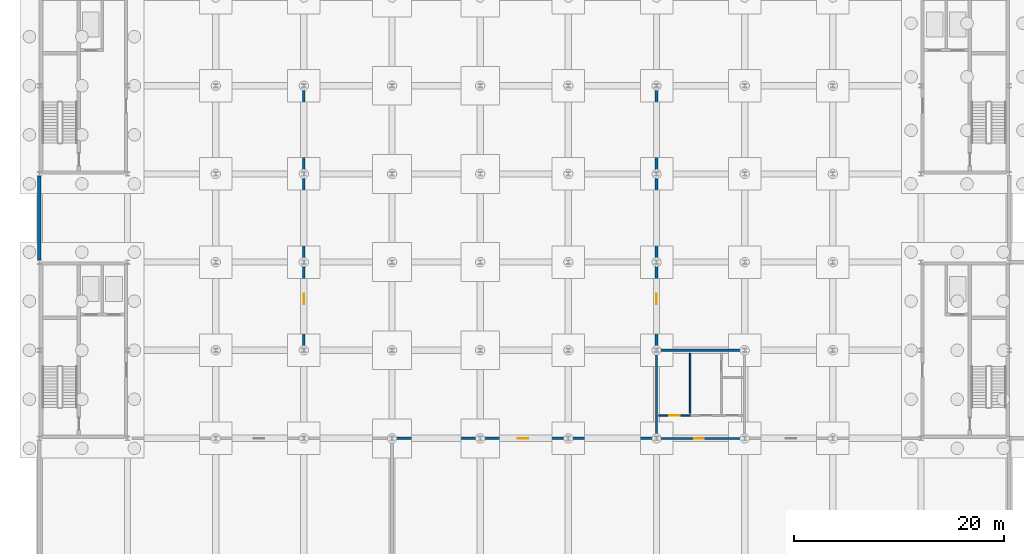
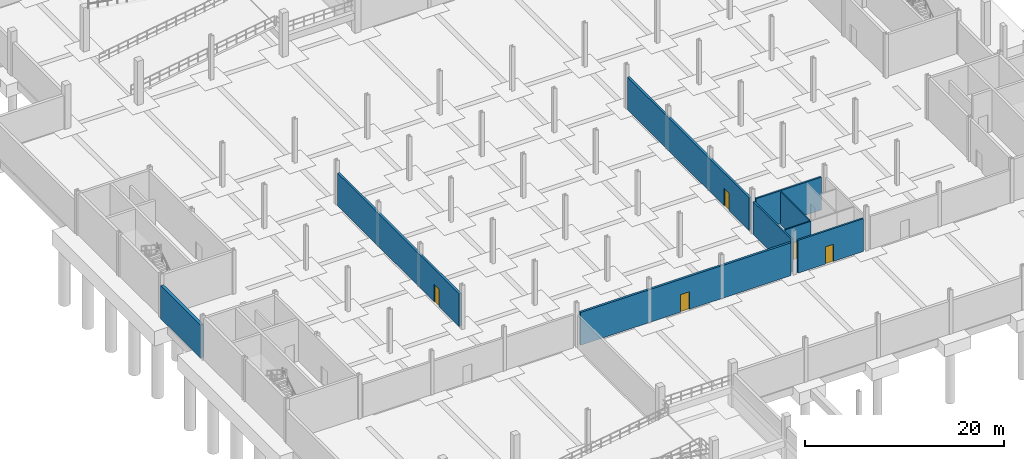
# One storey, part 24 of 36: 9 walls, 5 doors, 5 openings.
"""IFC4 building model written with IfcOpenShell, lengths in metres."""

from ifc_helpers import new_model, si_unit, direction, frame, frame_2d, origin, place, context, subcontext, project, spatial, rectangle, extrude, material, layer, layer_set, type_object, element, fill, save


model = new_model("IFC4")

# Units and contexts
model_context = context("Model", 3, precision=1e-05, world=origin(), true_north=direction((0.0, 1.0)))
body_context = subcontext(model_context, "Body", "Model", "MODEL_VIEW")
ifc_project = project(units=[si_unit("LENGTHUNIT", "METRE"), si_unit("AREAUNIT", "SQUARE_METRE"), si_unit("VOLUMEUNIT", "CUBIC_METRE"), si_unit("PLANEANGLEUNIT", "RADIAN"), si_unit("MASSUNIT", "GRAM", prefix="KILO"), si_unit("THERMODYNAMICTEMPERATUREUNIT", "KELVIN"), si_unit("POWERUNIT", "WATT")], contexts=[model_context])

# Site, building, storey
site_placement = place(None, origin())
site = spatial("IfcSite", under=ifc_project, at=site_placement, CompositionType="ELEMENT")
building_placement = place(site_placement, origin())
building = spatial("IfcBuilding", under=site, at=building_placement, Name="Tembeka Court Mobility Hub", CompositionType="ELEMENT")
storey_placement = place(building_placement, frame((0.0, 0.0, -5.39990234375)))
storey = spatial("IfcBuildingStorey", under=building, at=storey_placement, Name="B1", CompositionType="ELEMENT", Elevation=-5.39990234375)

# Wall, opening, door
ifc_material_1 = material(Name="Concrete C40/50", Category="concrete")
ifc_layer_1 = layer(ifc_material_1, 0.25)
ifc_layer_set_1 = layer_set([ifc_layer_1], Name="Concrete C40/50")
wall_type_1 = type_object("IfcWallType", Name="WL-IW01", PredefinedType="PARTITIONING", material=ifc_layer_set_1)
wall_1_placement = place(storey_placement, frame((34.0, 38.39990234375, 0.0), z_axis=(0.0, 0.0, 1.0), x_axis=(1.0, 0.0, 0.0)))
wall_1 = element("IfcWall", 1, at=wall_1_placement, inside=storey, type_object=wall_type_1, Name="Wall IW01 (IW-B1-0416)", PredefinedType="PARTITIONING", context=body_context, shape_type="SweptSolid", body=[
    extrude(rectangle(XDim=24.39990234375, YDim=0.25, at=frame_2d((12.199951171875, 0.0))), origin(), (0.0, 0.0, 1.0), 4.02490234375),
])
opening_1_placement = place(wall_1_placement, frame((11.60009765625, 0.0, 0.0)))
opening_1 = element("IfcOpeningElement", 2, at=opening_1_placement, cuts=wall_1, Name="Opening FD05", PredefinedType="OPENING", context=body_context, shape_type="SweptSolid", body=[
    extrude(rectangle(XDim=1.0, YDim=2.14990234375, at=frame_2d((0.5, 1.074951171875))), frame((0.0, 0.135009765625, 0.0), z_axis=(0.0, -1.0, 0.0), x_axis=(1.0, 0.0, 0.0)), (0.0, 0.0, 1.0), 0.27001953125),
])
ifc_material_2 = material(Name="Galvanised steel fire/shutter doorset", Category="steel")
door_type_1 = type_object("IfcDoorType", Name="DR-FD05", OperationType="NOTDEFINED", PredefinedType="DOOR", material=ifc_material_2)
door_1_placement = place(opening_1_placement, origin())
door_1 = element("IfcDoor", 3, at=door_1_placement, inside=storey, type_object=door_type_1, Name="Door FD05-0190", OperationType="SINGLE_SWING_RIGHT", OverallHeight=2.14990234375, OverallWidth=1.0, PredefinedType="DOOR", context=body_context, shape_type="SweptSolid", body=[
    extrude(rectangle(XDim=1.0, YDim=2.14990234375, at=frame_2d((0.5, 1.074951171875))), frame((0.0, 0.02490234375, 0.0), z_axis=(0.0, -1.0, 0.0), x_axis=(1.0, 0.0, 0.0)), (0.0, 0.0, 1.0), 0.050048828125),
])
fill(opening_1, door_1)

wall_2_placement = place(storey_placement, frame((25.199951171875, 47.199951171875, 0.0), z_axis=(0.0, 0.0, 1.0), x_axis=(0.0, 1.0, 0.0)))
wall_2 = element("IfcWall", 4, at=wall_2_placement, inside=storey, type_object=wall_type_1, Name="Wall IW01 (IW-B1-0419)", PredefinedType="PARTITIONING", context=body_context, shape_type="SweptSolid", body=[
    extrude(rectangle(XDim=24.400146484375, YDim=0.25, at=frame_2d((12.2001953125, 0.0))), origin(), (0.0, 0.0, 1.0), 4.02490234375),
])
opening_2_placement = place(wall_2_placement, frame((4.0, 0.0, 0.0)))
opening_2 = element("IfcOpeningElement", 5, at=opening_2_placement, cuts=wall_2, Name="Opening FD05", PredefinedType="OPENING", context=body_context, shape_type="SweptSolid", body=[
    extrude(rectangle(XDim=1.0, YDim=2.14990234375, at=frame_2d((0.5, 1.074951171875))), frame((0.0, 0.135009765625, 0.0), z_axis=(0.0, -1.0, 0.0), x_axis=(1.0, 0.0, 0.0)), (0.0, 0.0, 1.0), 0.27001953125),
])
door_2_placement = place(opening_2_placement, origin())
door_2 = element("IfcDoor", 6, at=door_2_placement, inside=storey, type_object=door_type_1, Name="Door FD05-0192", OperationType="SINGLE_SWING_RIGHT", OverallHeight=2.14990234375, OverallWidth=1.0, PredefinedType="DOOR", context=body_context, shape_type="SweptSolid", body=[
    extrude(rectangle(XDim=1.0, YDim=2.14990234375, at=frame_2d((0.5, 1.074951171875))), frame((0.0, 0.02490234375, 0.0), z_axis=(0.0, -1.0, 0.0), x_axis=(1.0, 0.0, 0.0)), (0.0, 0.0, 1.0), 0.050048828125),
])
fill(opening_2, door_2)

wall_3_placement = place(storey_placement, frame((58.800048828125, 47.199951171875, 0.0), z_axis=(0.0, 0.0, 1.0), x_axis=(0.0, 1.0, 0.0)))
wall_3 = element("IfcWall", 7, at=wall_3_placement, inside=storey, type_object=wall_type_1, Name="Wall IW01 (IW-B1-0420)", PredefinedType="PARTITIONING", context=body_context, shape_type="SweptSolid", body=[
    extrude(rectangle(XDim=24.400146484375, YDim=0.25, at=frame_2d((12.2001953125, 0.0))), origin(), (0.0, 0.0, 1.0), 4.02490234375),
])
opening_3_placement = place(wall_3_placement, frame((4.0, 0.0, 0.0)))
opening_3 = element("IfcOpeningElement", 8, at=opening_3_placement, cuts=wall_3, Name="Opening FD05", PredefinedType="OPENING", context=body_context, shape_type="SweptSolid", body=[
    extrude(rectangle(XDim=1.0, YDim=2.14990234375, at=frame_2d((0.5, 1.074951171875))), frame((0.0, 0.135009765625, 0.0), z_axis=(0.0, -1.0, 0.0), x_axis=(1.0, 0.0, 0.0)), (0.0, 0.0, 1.0), 0.27001953125),
])
door_3_placement = place(opening_3_placement, origin())
door_3 = element("IfcDoor", 9, at=door_3_placement, inside=storey, type_object=door_type_1, Name="Door FD05-0193", OperationType="SINGLE_SWING_LEFT", OverallHeight=2.14990234375, OverallWidth=1.0, PredefinedType="DOOR", context=body_context, shape_type="SweptSolid", body=[
    extrude(rectangle(XDim=1.0, YDim=2.14990234375, at=frame_2d((0.5, 1.074951171875))), frame((0.0, 0.02490234375, 0.0), z_axis=(0.0, -1.0, 0.0), x_axis=(1.0, 0.0, 0.0)), (0.0, 0.0, 1.0), 0.050048828125),
])
fill(opening_3, door_3)

ifc_material_3 = material(Name="Concrete blockwork masonry", Category="masonry")
ifc_layer_2 = layer(ifc_material_3, 0.199951171875)
ifc_layer_set_2 = layer_set([ifc_layer_2], Name="Concrete blockwork masonry")
wall_type_2 = type_object("IfcWallType", Name="WL-IW02", PredefinedType="PARTITIONING", material=ifc_layer_set_2)
wall_4_placement = place(storey_placement, frame((59.199951171875, 38.39990234375, 0.0), z_axis=(0.0, 0.0, 1.0), x_axis=(1.0, 0.0, 0.0)))
wall_4 = element("IfcWall", 10, at=wall_4_placement, inside=storey, type_object=wall_type_2, Name="Wall IW02 (IW-B1-0336)", PredefinedType="PARTITIONING", context=body_context, shape_type="SweptSolid", body=[
    extrude(rectangle(XDim=7.60009765625, YDim=0.199951171875, at=frame_2d((3.800048828125, 0.0))), origin(), (0.0, 0.0, 1.0), 4.02490234375),
])
opening_4_placement = place(wall_4_placement, frame((3.199951171875, 0.0, 0.0)))
opening_4 = element("IfcOpeningElement", 11, at=opening_4_placement, cuts=wall_4, Name="Opening ID03", PredefinedType="OPENING", context=body_context, shape_type="SweptSolid", body=[
    extrude(rectangle(XDim=0.919921875, YDim=2.10009765625, at=frame_2d((0.4599609375, 1.050048828125))), frame((0.0, 0.10986328125, 0.0), z_axis=(0.0, -1.0, 0.0), x_axis=(1.0, 0.0, 0.0)), (0.0, 0.0, 1.0), 0.219970703125),
])
door_type_2 = type_object("IfcDoorType", Name="DR-ID03", OperationType="NOTDEFINED", PredefinedType="DOOR", material=ifc_material_2)
door_4_placement = place(opening_4_placement, origin())
door_4 = element("IfcDoor", 12, at=door_4_placement, inside=storey, type_object=door_type_2, Name="B1 washroom lobby entrance", OperationType="SINGLE_SWING_LEFT", OverallHeight=2.10009765625, OverallWidth=0.919921875, PredefinedType="DOOR", context=body_context, shape_type="SweptSolid", body=[
    extrude(rectangle(XDim=0.919921875, YDim=2.10009765625, at=frame_2d((0.4599609375, 1.050048828125))), frame((0.0, 0.02490234375, 0.0), z_axis=(0.0, -1.0, 0.0), x_axis=(1.0, 0.0, 0.0)), (0.0, 0.0, 1.0), 0.050048828125),
])
fill(opening_4, door_4)

# Walls
wall_5_placement = place(storey_placement, frame((59.199951171875, 46.800048828125, 0.0), z_axis=(0.0, 0.0, 1.0), x_axis=(1.0, 0.0, 0.0)))
element("IfcWall", 13, at=wall_5_placement, inside=storey, type_object=wall_type_2, Name="Wall IW02 (IW-B1-0337)", PredefinedType="PARTITIONING", context=body_context, shape_type="SweptSolid", body=[
    extrude(rectangle(XDim=7.60009765625, YDim=0.199951171875, at=frame_2d((3.800048828125, 0.0))), origin(), (0.0, 0.0, 1.0), 4.02490234375),
])
wall_6_placement = place(storey_placement, frame((58.800048828125, 38.800048828125, 0.0), z_axis=(0.0, 0.0, 1.0), x_axis=(0.0, 1.0, 0.0)))
element("IfcWall", 14, at=wall_6_placement, inside=storey, type_object=wall_type_2, Name="Wall IW02 (IW-B1-0338)", PredefinedType="PARTITIONING", context=body_context, shape_type="SweptSolid", body=[
    extrude(rectangle(XDim=7.599853515625, YDim=0.199951171875, at=frame_2d((3.7998046875, 0.0))), origin(), (0.0, 0.0, 1.0), 4.02490234375),
])

# Wall, opening, door
ifc_material_4 = material(Name="Moisture-resistant gypsum partition", Category="masonry")
ifc_layer_3 = layer(ifc_material_4, 0.139892578125)
ifc_layer_set_3 = layer_set([ifc_layer_3], Name="Moisture-resistant gypsum partition")
wall_type_3 = type_object("IfcWallType", Name="WL-IW05", PredefinedType="PARTITIONING", material=ifc_layer_set_3)
wall_7_placement = place(storey_placement, frame((59.0, 40.60009765625, 0.0), z_axis=(0.0, 0.0, 1.0), x_axis=(1.0, 0.0, 0.0)))
wall_7 = element("IfcWall", 15, at=wall_7_placement, inside=storey, type_object=wall_type_3, Name="Wall IW05 (IW-B1-0340)", PredefinedType="PARTITIONING", context=body_context, shape_type="SweptSolid", body=[
    extrude(rectangle(XDim=3.0, YDim=0.139892578125, at=frame_2d((1.5, 0.0))), origin(), (0.0, 0.0, 1.0), 4.02490234375),
])
opening_5_placement = place(wall_7_placement, frame((1.0, 0.0, 0.0)))
opening_5 = element("IfcOpeningElement", 16, at=opening_5_placement, cuts=wall_7, Name="Opening ID02", PredefinedType="OPENING", context=body_context, shape_type="SweptSolid", body=[
    extrude(rectangle(XDim=1.0, YDim=2.10009765625, at=frame_2d((0.5, 1.050048828125))), frame((0.0, 0.080078125, 0.0), z_axis=(0.0, -1.0, 0.0), x_axis=(1.0, 0.0, 0.0)), (0.0, 0.0, 1.0), 0.159912109375),
])
ifc_material_5 = material(Name="Powder-coated aluminium glazed doorset", Category="aluminium")
door_type_3 = type_object("IfcDoorType", Name="DR-ID02", OperationType="NOTDEFINED", PredefinedType="DOOR", material=ifc_material_5)
door_5_placement = place(opening_5_placement, origin())
door_5 = element("IfcDoor", 17, at=door_5_placement, inside=storey, type_object=door_type_3, Name="B1 male WC door", OperationType="SINGLE_SWING_RIGHT", OverallHeight=2.10009765625, OverallWidth=1.0, PredefinedType="DOOR", context=body_context, shape_type="SweptSolid", body=[
    extrude(rectangle(XDim=1.0, YDim=2.10009765625, at=frame_2d((0.5, 1.050048828125))), frame((0.0, 0.02490234375, 0.0), z_axis=(0.0, -1.0, 0.0), x_axis=(1.0, 0.0, 0.0)), (0.0, 0.0, 1.0), 0.050048828125),
])
fill(opening_5, door_5)

# Walls
wall_8_placement = place(storey_placement, frame((62.0, 40.800048828125, 0.0), z_axis=(0.0, 0.0, 1.0), x_axis=(0.0, 1.0, 0.0)))
element("IfcWall", 18, at=wall_8_placement, inside=storey, type_object=wall_type_3, Name="Wall IW05 (IW-B1-0343)", PredefinedType="PARTITIONING", context=body_context, shape_type="SweptSolid", body=[
    extrude(rectangle(XDim=5.699951171875, YDim=0.139892578125, at=frame_2d((2.85009765625, 0.0))), origin(), (0.0, 0.0, 1.0), 4.02490234375),
])
ifc_layer_4 = layer(ifc_material_1, 0.340087890625)
ifc_layer_set_4 = layer_set([ifc_layer_4], Name="Concrete C40/50")
wall_type_4 = type_object("IfcWallType", Name="WL-RW01", PredefinedType="USERDEFINED", material=ifc_layer_set_4)
wall_9_placement = place(storey_placement, frame((0.0, 55.39501953125, 0.0), z_axis=(0.0, 0.0, 1.0), x_axis=(0.0, 1.0, 0.0)))
element("IfcWall", 19, at=wall_9_placement, inside=storey, type_object=wall_type_4, Name="External wall RW01 (EW-B1-0033)", ObjectType="RETAININGWALL", PredefinedType="USERDEFINED", context=body_context, shape_type="SweptSolid", body=[
    extrude(rectangle(XDim=8.010009765625, YDim=0.340087890625, at=frame_2d((4.0048828125, 0.0))), origin(), (0.0, 0.0, 1.0), 4.059814453125),
])

save(model, "model.ifc")
